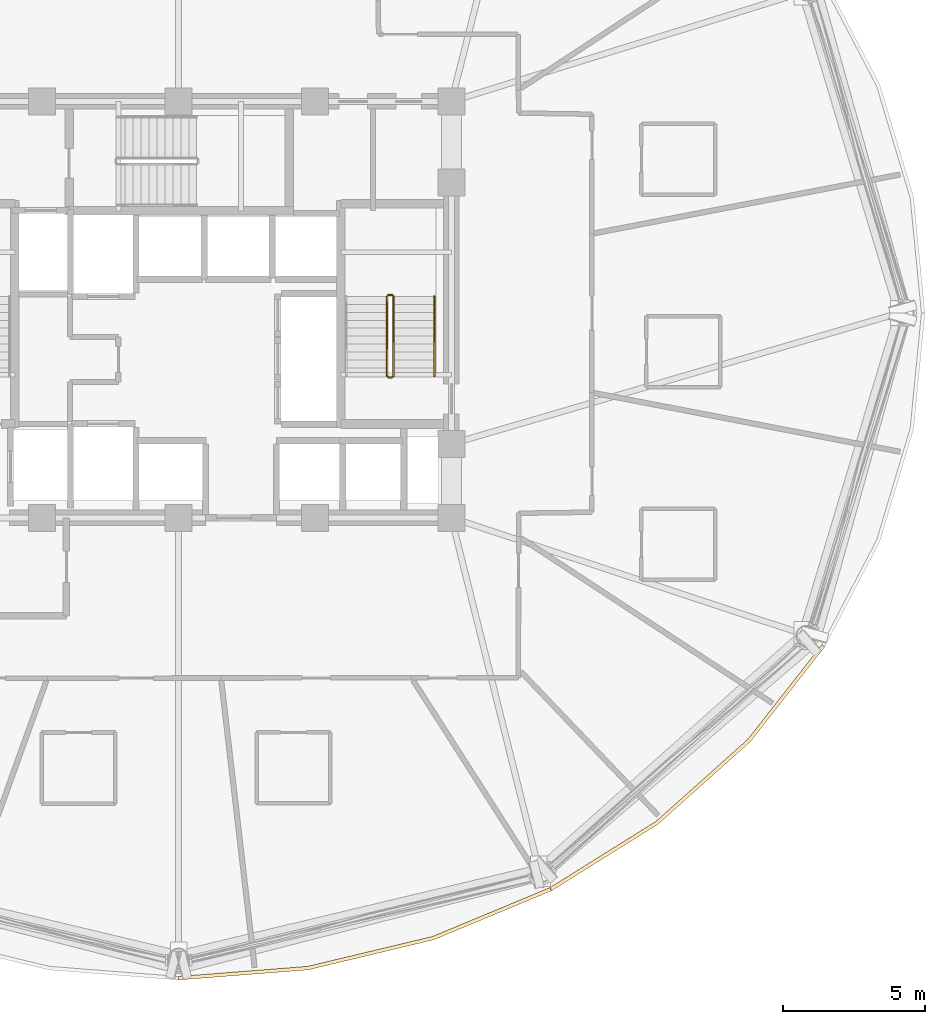
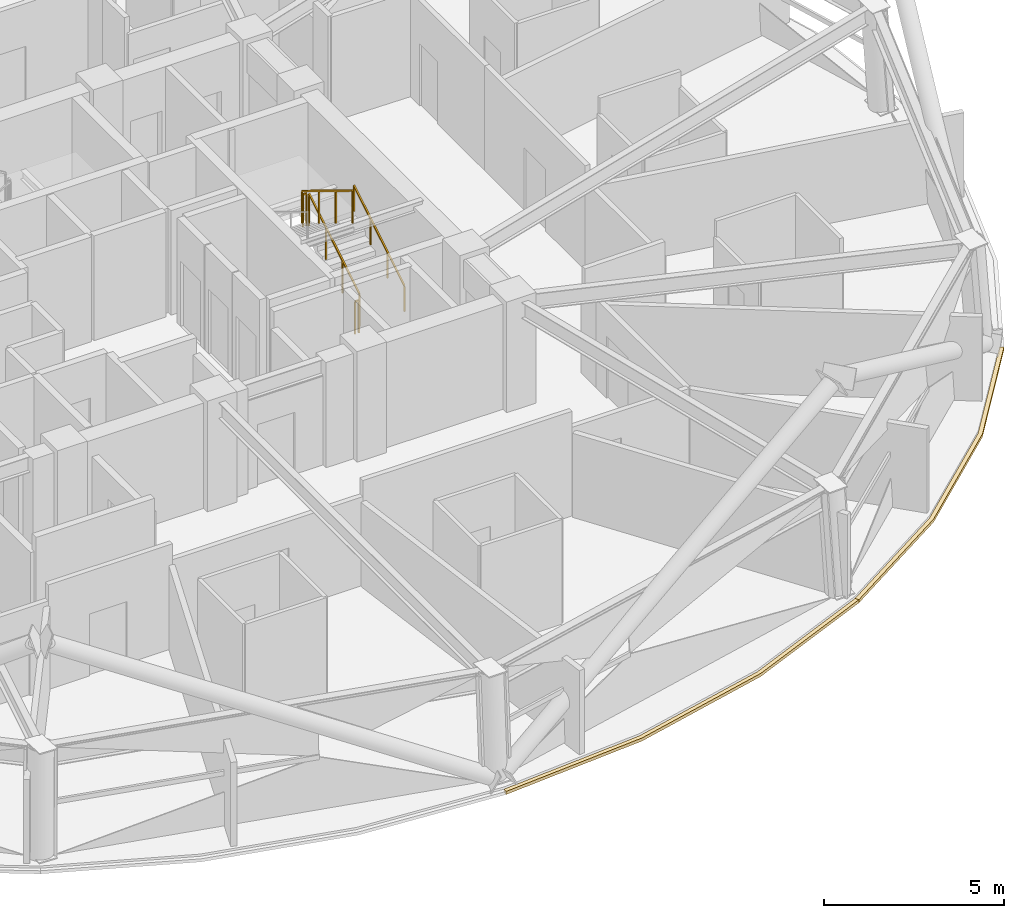
# One storey, part 13 of 14: 5 railings, 2 coverings.
"""IFC4 building model written with IfcOpenShell, lengths in metres."""

from ifc_helpers import new_model, si_unit, direction, frame, origin, origin_2d, place, context, subcontext, project, spatial, polyline, rectangle, outline, extrude, material, layer, layer_set, type_object, element, save


model = new_model("IFC4")

# Units and contexts
model_context = context("Model", 3, precision=1e-05, world=origin(), true_north=direction((0.0, 1.0)))
body_context = subcontext(model_context, "Body", "Model", "MODEL_VIEW")
ifc_project = project(units=[si_unit("LENGTHUNIT", "METRE"), si_unit("AREAUNIT", "SQUARE_METRE"), si_unit("VOLUMEUNIT", "CUBIC_METRE"), si_unit("PLANEANGLEUNIT", "RADIAN"), si_unit("MASSUNIT", "GRAM", prefix="KILO")], contexts=[model_context])

# Site, building, storey
site_placement = place(None, origin())
site = spatial("IfcSite", under=ifc_project, at=site_placement, CompositionType="ELEMENT")
building_placement = place(site_placement, origin())
building = spatial("IfcBuilding", under=site, at=building_placement, Name="Vantalir Tower", CompositionType="ELEMENT")
storey_placement = place(building_placement, frame((0.0, 0.0, 112.199951171875)))
storey = spatial("IfcBuildingStorey", under=building, at=storey_placement, Name="L27", CompositionType="ELEMENT", Elevation=112.199951171875)

# Coverings
ifc_material_1 = material(Name="Anodised champagne aluminium sill fascia", Category="aluminium")
ifc_layer = layer(ifc_material_1, 0.125)
ifc_layer_set = layer_set([ifc_layer], Name="Anodised champagne aluminium sill fascia")
covering_type = type_object("IfcCoveringType", Name="COV-SLAB-FASCIA-125", PredefinedType="CLADDING", material=ifc_layer_set)
covering_1_placement = place(storey_placement, frame((0.0, 0.0, -0.179931640625)))
element("IfcCovering", 1, at=covering_1_placement, inside=storey, type_object=covering_type, Name="L27 Perimeter Slab-Edge Sill Fascia 10", PredefinedType="CLADDING", context=body_context, shape_type="SweptSolid", body=[
    extrude(outline(polyline([(31.5, 1.537109375), (36.06103515625, 1.89306640625), (40.48193359375, 2.951904296875), (44.632080078125, 4.679931640625), (44.569091796875, 4.7890625), (40.43994140625, 3.069091796875), (36.0390625, 2.01708984375), (31.5, 1.662109375), (31.5, 1.537109375)])), origin(), (0.0, 0.0, 1.0), 0.10498046875),
])
covering_2_placement = place(storey_placement, frame((0.0, 0.0, -0.179931640625)))
element("IfcCovering", 2, at=covering_2_placement, inside=storey, type_object=covering_type, Name="L27 Perimeter Slab-Edge Sill Fascia 11", PredefinedType="CLADDING", context=body_context, shape_type="SweptSolid", body=[
    extrude(outline(polyline([(44.632080078125, 4.679931640625), (48.382080078125, 7.02587890625), (51.618896484375, 9.91796875), (54.243896484375, 13.26806640625), (54.135986328125, 13.3310546875), (51.52294921875, 9.9990234375), (48.301025390625, 7.1220703125), (44.569091796875, 4.7890625), (44.632080078125, 4.679931640625)])), origin(), (0.0, 0.0, 1.0), 0.10498046875),
])

# Railings
ifc_material_2 = material(Name="Anodised aluminium and stainless steel guard", Category="steel")
railing_type_1 = type_object("IfcRailingType", Name="RAL-GUARD-1120", PredefinedType="GUARDRAIL", material=ifc_material_2)
railing_1_placement = place(storey_placement, frame((39.06005859375, 22.7900390625, 0.17041015625)))
element("IfcRailing", 3, at=railing_1_placement, inside=storey, type_object=railing_type_1, Name="L27 ST2 stair guard 1", PredefinedType="GUARDRAIL", context=body_context, shape_type="SweptSolid", body=[
    extrude(rectangle(XDim=0.048095703125, YDim=0.048095703125, at=origin_2d()), frame((0.0, 0.0, 1.09619140625), z_axis=(0.0, 0.854169791009, 0.51999420009), x_axis=(-1.0, 0.0, 0.0)), (0.0, 0.0, 1.0), 3.278076171875),
    extrude(rectangle(XDim=0.0419921875, YDim=0.0419921875, at=origin_2d()), origin(), (0.0, 0.0, 1.0), 1.072021484375),
    extrude(rectangle(XDim=0.0419921875, YDim=0.0419921875, at=origin_2d()), frame((0.0, 0.933349609375, 0.568115234375)), (0.0, 0.0, 1.0), 1.072021484375),
    extrude(rectangle(XDim=0.0419921875, YDim=0.0419921875, at=origin_2d()), frame((0.0, 1.86669921875, 1.136474609375)), (0.0, 0.0, 1.0), 1.072021484375),
    extrude(rectangle(XDim=0.0419921875, YDim=0.0419921875, at=origin_2d()), frame((0.0, 2.800048828125, 1.70458984375)), (0.0, 0.0, 1.0), 1.072021484375),
])
railing_2_placement = place(storey_placement, frame((39.010009765625, 25.639892578125, 1.875)))
element("IfcRailing", 4, at=railing_2_placement, inside=storey, type_object=railing_type_1, Name="L27 ST2 stair guard 2", PredefinedType="GUARDRAIL", context=body_context, shape_type="SweptSolid", body=[
    extrude(rectangle(XDim=0.048095703125, YDim=0.048095703125, at=origin_2d()), frame((0.0, 0.0, 1.09619140625), z_axis=(-1.0, 0.0, 0.0), x_axis=(0.0, -1.0, 0.0)), (0.0, 0.0, 1.0), 0.1201171875),
    extrude(rectangle(XDim=0.0419921875, YDim=0.0419921875, at=origin_2d()), origin(), (0.0, 0.0, 1.0), 1.072021484375),
    extrude(rectangle(XDim=0.0419921875, YDim=0.0419921875, at=origin_2d()), frame((-0.1201171875, 0.0, 0.0)), (0.0, 0.0, 1.0), 1.072021484375),
])
railing_3_placement = place(storey_placement, frame((38.840087890625, 25.590087890625, 2.04541015625)))
element("IfcRailing", 5, at=railing_3_placement, inside=storey, type_object=railing_type_1, Name="L27 ST2 stair guard 3", PredefinedType="GUARDRAIL", context=body_context, shape_type="SweptSolid", body=[
    extrude(rectangle(XDim=0.048095703125, YDim=0.048095703125, at=origin_2d()), frame((0.0, 0.0, 1.09619140625), z_axis=(0.0, -0.854169791009, 0.51999420009), x_axis=(1.0, 0.0, 0.0)), (0.0, 0.0, 1.0), 3.278076171875),
    extrude(rectangle(XDim=0.0419921875, YDim=0.0419921875, at=origin_2d()), origin(), (0.0, 0.0, 1.0), 1.072021484375),
    extrude(rectangle(XDim=0.0419921875, YDim=0.0419921875, at=origin_2d()), frame((0.0, -0.933349609375, 0.568115234375)), (0.0, 0.0, 1.0), 1.072021484375),
    extrude(rectangle(XDim=0.0419921875, YDim=0.0419921875, at=origin_2d()), frame((0.0, -1.86669921875, 1.136474609375)), (0.0, 0.0, 1.0), 1.072021484375),
    extrude(rectangle(XDim=0.0419921875, YDim=0.0419921875, at=origin_2d()), frame((0.0, -2.800048828125, 1.70458984375)), (0.0, 0.0, 1.0), 1.072021484375),
])
railing_4_placement = place(storey_placement, frame((39.010009765625, 22.739990234375, 0.0)))
element("IfcRailing", 6, at=railing_4_placement, inside=storey, type_object=railing_type_1, Name="L27 ST2 stair guard 4", PredefinedType="GUARDRAIL", context=body_context, shape_type="SweptSolid", body=[
    extrude(rectangle(XDim=0.048095703125, YDim=0.048095703125, at=origin_2d()), frame((0.0, 0.0, 1.09619140625), z_axis=(-1.0, 0.0, 0.0), x_axis=(0.0, -1.0, 0.0)), (0.0, 0.0, 1.0), 0.1201171875),
    extrude(rectangle(XDim=0.0419921875, YDim=0.0419921875, at=origin_2d()), origin(), (0.0, 0.0, 1.0), 1.072021484375),
    extrude(rectangle(XDim=0.0419921875, YDim=0.0419921875, at=origin_2d()), frame((-0.1201171875, 0.0, 0.0)), (0.0, 0.0, 1.0), 1.072021484375),
])
ifc_material_3 = material(Name="Brushed stainless steel tubular handrail", Category="steel")
railing_type_2 = type_object("IfcRailingType", Name="RAL-HANDRAIL-900", PredefinedType="HANDRAIL", material=ifc_material_3)
railing_5_placement = place(storey_placement, frame((40.5, 22.7900390625, 0.17041015625)))
element("IfcRailing", 7, at=railing_5_placement, inside=storey, type_object=railing_type_2, Name="L27 ST2 stair handrail 1", PredefinedType="HANDRAIL", context=body_context, shape_type="SweptSolid", body=[
    extrude(rectangle(XDim=0.048095703125, YDim=0.048095703125, at=origin_2d()), frame((0.0, 0.0, 0.8759765625), z_axis=(0.0, 0.854169791009, 0.51999420009), x_axis=(-1.0, 0.0, 0.0)), (0.0, 0.0, 1.0), 3.278076171875),
    extrude(rectangle(XDim=0.0419921875, YDim=0.0419921875, at=origin_2d()), origin(), (0.0, 0.0, 1.0), 0.851806640625),
    extrude(rectangle(XDim=0.0419921875, YDim=0.0419921875, at=origin_2d()), frame((0.0, 0.933349609375, 0.568115234375)), (0.0, 0.0, 1.0), 0.851806640625),
    extrude(rectangle(XDim=0.0419921875, YDim=0.0419921875, at=origin_2d()), frame((0.0, 1.86669921875, 1.136474609375)), (0.0, 0.0, 1.0), 0.851806640625),
    extrude(rectangle(XDim=0.0419921875, YDim=0.0419921875, at=origin_2d()), frame((0.0, 2.800048828125, 1.70458984375)), (0.0, 0.0, 1.0), 0.851806640625),
])

save(model, "model.ifc")
